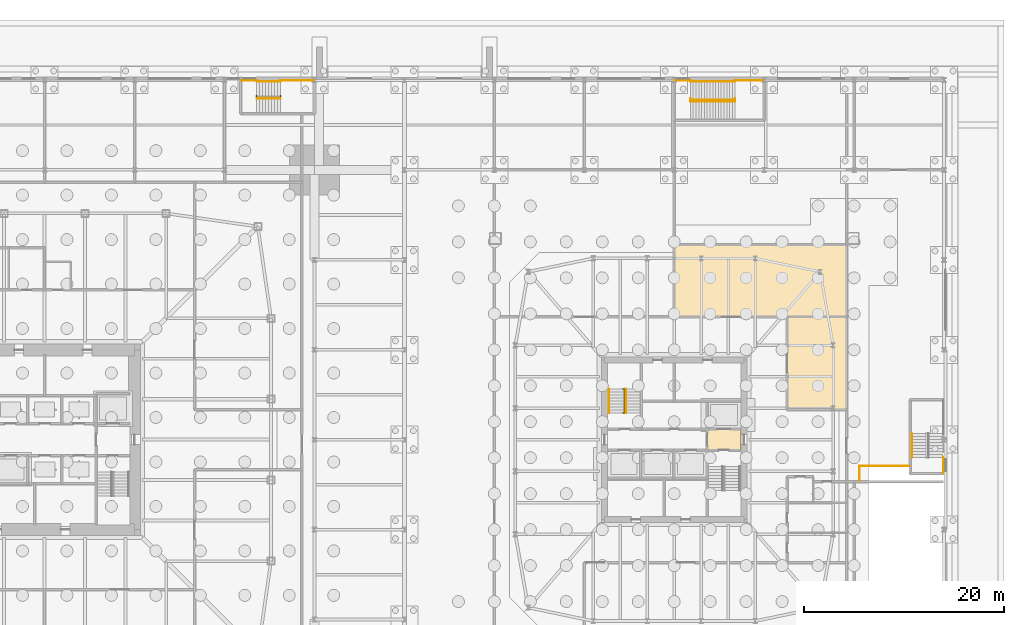
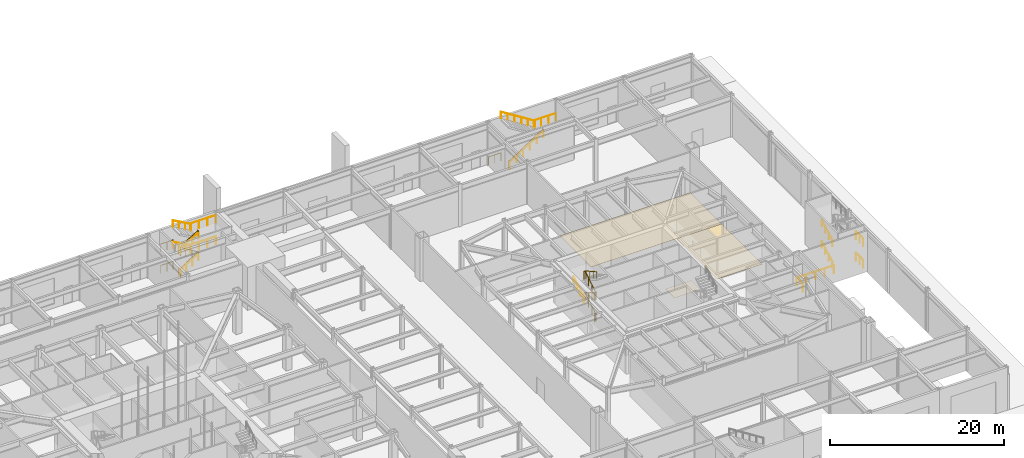
# One storey, part 35 of 37: 23 railings, 3 coverings.
"""IFC4 building model written with IfcOpenShell, lengths in metres."""

import ifcopenshell
import ifcopenshell.guid

model = None  # the IFC model being written
_history = None  # IfcOwnerHistory: only IFC2X3 demands one
_inside = {}  # id of a spatial element -> (the spatial element, [elements in it])
_under = {}  # id of a project, library or spatial element -> (it, [spatial elements below it])
_declared = {}  # id of a project -> (the project, [libraries it declares])
_typed = {}  # id of a type object -> (the type object, [elements of that type])
_made_of = {}  # id of a material, layer set ... -> (it, [elements and type objects made of it])


def new_model(schema):
    """Start an empty IFC model of exactly this schema.

    Asked for "IFC4X3", IfcOpenShell would pick the latest addendum, in which some entities
    have other attributes; the version numbers below select the first issue.
    IFC2X3 requires an IfcOwnerHistory on every rooted entity: one is made here for all.
    """
    global model, _history
    if schema == "IFC4X3":
        model = ifcopenshell.file(schema_version=(4, 3, 0, 0))
    else:
        model = ifcopenshell.file(schema=schema)
    _inside.clear()
    _under.clear()
    _declared.clear()
    _typed.clear()
    _made_of.clear()
    _history = None
    if model.schema == "IFC2X3":
        org = make("IfcOrganization", Name="unknown")
        user = make(
            "IfcPersonAndOrganization",
            ThePerson=make("IfcPerson", FamilyName="unknown"),
            TheOrganization=org,
        )
        app = make(
            "IfcApplication",
            ApplicationDeveloper=org,
            Version="unknown",
            ApplicationFullName="unknown",
            ApplicationIdentifier="unknown",
        )
        _history = make(
            "IfcOwnerHistory",
            OwningUser=user,
            OwningApplication=app,
            ChangeAction="ADDED",
            CreationDate=0,
        )
    return model


def make(cls, **values):
    """One entity of the class cls with the attributes given. An attribute that is None is left unset."""
    return model.create_entity(
        cls, **{name: value for name, value in values.items() if value is not None}
    )


def rooted(cls, **values):
    """An entity with a GlobalId (a new one), such as an element, a storey or a relation."""
    return make(cls, GlobalId=ifcopenshell.guid.new(), OwnerHistory=_history, **values)


def si_unit(unit_type, name, prefix=None):
    """IfcSIUnit, for example si_unit("LENGTHUNIT", "METRE", prefix="MILLI")."""
    return make("IfcSIUnit", UnitType=unit_type, Prefix=prefix, Name=name)


def assignment(units):
    """IfcUnitAssignment: the units of a project."""
    return None if units is None else make("IfcUnitAssignment", Units=units)


def point(xyz):
    """IfcCartesianPoint."""
    return None if xyz is None else make("IfcCartesianPoint", Coordinates=xyz)


def direction(xyz):
    """IfcDirection."""
    return None if xyz is None else make("IfcDirection", DirectionRatios=xyz)


def frame(location, z_axis=None, x_axis=None):
    """IfcAxis2Placement3D, a coordinate frame: its origin and axes. An axis left out is left unset."""
    return make(
        "IfcAxis2Placement3D",
        Location=point(location),
        Axis=direction(z_axis),
        RefDirection=direction(x_axis),
    )


def frame_2d(location, x_axis=None):
    """IfcAxis2Placement2D, a coordinate frame in the plane: its origin and x axis."""
    return make(
        "IfcAxis2Placement2D", Location=point(location), RefDirection=direction(x_axis)
    )


def origin():
    """The frame at (0, 0, 0) with its axes left unset."""
    return frame((0.0, 0.0, 0.0))


def origin_2d():
    """The frame at (0, 0) in the plane with its x axis left unset."""
    return frame_2d((0.0, 0.0))


def place(relative_to, where):
    """IfcLocalPlacement: puts the frame where relative to a parent placement (None: the world)."""
    return make(
        "IfcLocalPlacement", PlacementRelTo=relative_to, RelativePlacement=where
    )


def context(
    kind, dimensions, precision=None, world=None, true_north=None, identifier=None
):
    """IfcGeometricRepresentationContext, for example the 3D "Model" context."""
    return make(
        "IfcGeometricRepresentationContext",
        ContextIdentifier=identifier,
        ContextType=kind,
        CoordinateSpaceDimension=dimensions,
        Precision=precision,
        WorldCoordinateSystem=world,
        TrueNorth=true_north,
    )


def subcontext(parent, identifier, kind, view, scale=None):
    """IfcGeometricRepresentationSubContext, for example "Body" below "Model"."""
    return make(
        "IfcGeometricRepresentationSubContext",
        ContextIdentifier=identifier,
        ContextType=kind,
        ParentContext=parent,
        TargetScale=scale,
        TargetView=view,
    )


def project(units=None, contexts=None):
    """IfcProject with its units and contexts."""
    return rooted(
        "IfcProject",
        Name="project",
        RepresentationContexts=contexts,
        UnitsInContext=assignment(units),
    )


def spatial(cls, under=None, at=None, **own):
    """A site, building, storey or space (cls), placed at a placement, below another one or the project."""
    s = rooted(cls, ObjectPlacement=at, **own)
    if under is not None:
        _under.setdefault(under.id(), (under, []))[1].append(s)
    return s


def polyline(points):
    """IfcPolyline through the points."""
    return make("IfcPolyline", Points=[point(p) for p in points])


def profile(cls, at=None, kind="AREA", **sizes):
    """A parametric profile (cls). Its sizes go by their IFC names, for example OverallWidth=200.0."""
    return make(cls, ProfileType=kind, Position=at, **sizes)


def circle(**sizes):
    """IfcCircleProfileDef."""
    return profile("IfcCircleProfileDef", **sizes)


def outline(outer, holes=None, kind="AREA"):
    """IfcArbitraryClosedProfileDef: a profile drawn as a closed curve; with holes, ...WithVoids."""
    if holes is None:
        return make("IfcArbitraryClosedProfileDef", ProfileType=kind, OuterCurve=outer)
    return make(
        "IfcArbitraryProfileDefWithVoids",
        ProfileType=kind,
        OuterCurve=outer,
        InnerCurves=holes,
    )


def extrude(swept, where, along, depth):
    """IfcExtrudedAreaSolid: the profile swept, set in the frame where, extruded along a direction by depth."""
    return make(
        "IfcExtrudedAreaSolid",
        SweptArea=swept,
        Position=where,
        ExtrudedDirection=direction(along),
        Depth=depth,
    )


def shape(context_of_items, identifier, shape_type, items):
    """IfcShapeRepresentation: the items that make up one representation, for example the "Body"."""
    return make(
        "IfcShapeRepresentation",
        ContextOfItems=context_of_items,
        RepresentationIdentifier=identifier,
        RepresentationType=shape_type,
        Items=items,
    )


def material(Name=None, Category=None):
    """IfcMaterial."""
    return make("IfcMaterial", Name=Name, Category=Category)


def layer(
    of_material, thickness, ventilated=None, Name=None, Category=None, Priority=None
):
    """IfcMaterialLayer: one layer of a wall or slab, of a material (None: an air gap)."""
    return make(
        "IfcMaterialLayer",
        Material=of_material,
        LayerThickness=thickness,
        IsVentilated=ventilated,
        Name=Name,
        Category=Category,
        Priority=Priority,
    )


def layer_set(layers, Name=None):
    """IfcMaterialLayerSet."""
    return make("IfcMaterialLayerSet", MaterialLayers=layers, LayerSetName=Name)


def constituent(of_material, Name=None, Category=None, fraction=None):
    """IfcMaterialConstituent: one of the materials an element consists of."""
    return make(
        "IfcMaterialConstituent",
        Name=Name,
        Material=of_material,
        Fraction=fraction,
        Category=Category,
    )


def constituent_set(constituents=None, Name=None):
    """IfcMaterialConstituentSet."""
    return make(
        "IfcMaterialConstituentSet", Name=Name, MaterialConstituents=constituents
    )


def made_of(thing, what):
    """Note that an element or type object is made of a material, layer set ...; save() writes the relation."""
    if what is not None:
        _made_of.setdefault(what.id(), (what, []))[1].append(thing)
    return thing


def type_object(cls, material=None, **own):
    """A type object (cls), such as IfcWallType, which elements share."""
    return made_of(rooted(cls, **own), material)


def element(
    cls,
    number,
    at=None,
    inside=None,
    cuts=None,
    type_object=None,
    material=None,
    context=None,
    identifier="Body",
    shape_type=None,
    held_by="IfcProductDefinitionShape",
    body=None,
    shapes=None,
    **own,
):
    """One element of the class cls, such as IfcWall. Its Tag is "e" and its number.

    at: its placement. inside: the storey or other place that contains it. cuts: it is an
    opening in that element (IfcRelVoidsElement). A single representation is given by context,
    identifier, shape_type and body (its items); several are given by shapes. held_by: the class
    of the entity that holds the representations. save() writes the other relations.
    """
    e = rooted(cls, Tag="e%d" % number, ObjectPlacement=at, **own)
    if body is not None:
        shapes = [shape(context, identifier, shape_type, body)]
    if shapes is not None:
        e.Representation = make(held_by, Representations=shapes)
    if inside is not None:
        _inside.setdefault(inside.id(), (inside, []))[1].append(e)
    if cuts is not None:
        rooted(
            "IfcRelVoidsElement", RelatingBuildingElement=cuts, RelatedOpeningElement=e
        )
    if type_object is not None:
        _typed.setdefault(type_object.id(), (type_object, []))[1].append(e)
    return made_of(e, material)


def aggregate(whole, parts):
    """IfcRelAggregates: a whole, such as a stair, and the parts it consists of."""
    return rooted("IfcRelAggregates", RelatingObject=whole, RelatedObjects=parts)


def save(model, path):
    """Write the relations noted so far, then the file.

    IfcRelAggregates (storeys below a building ...), IfcRelContainedInSpatialStructure (elements
    in a storey), IfcRelDefinesByType, IfcRelAssociatesMaterial and IfcRelDeclares: one each for
    every whole, place, type object, material and project.
    """
    for whole, parts in _under.values():
        aggregate(whole, parts)
    for where, things in _inside.values():
        rooted(
            "IfcRelContainedInSpatialStructure",
            RelatedElements=things,
            RelatingStructure=where,
        )
    for kind, things in _typed.values():
        rooted("IfcRelDefinesByType", RelatedObjects=things, RelatingType=kind)
    for what, things in _made_of.values():
        rooted("IfcRelAssociatesMaterial", RelatedObjects=things, RelatingMaterial=what)
    for by, libraries in _declared.values():
        rooted("IfcRelDeclares", RelatingContext=by, RelatedDefinitions=libraries)
    model.write(path)


model = new_model("IFC4")

# Units and contexts
model_context = context("Model", 3, precision=1e-05, world=origin(), true_north=direction((0.0, 1.0)))
body_context = subcontext(model_context, "Body", "Model", "MODEL_VIEW")
ifc_project = project(units=[si_unit("LENGTHUNIT", "METRE"), si_unit("AREAUNIT", "SQUARE_METRE"), si_unit("VOLUMEUNIT", "CUBIC_METRE"), si_unit("PLANEANGLEUNIT", "RADIAN"), si_unit("MASSUNIT", "GRAM", prefix="KILO")], contexts=[model_context])

# Site, building, storey
site_placement = place(None, origin())
site = spatial("IfcSite", under=ifc_project, at=site_placement, CompositionType="ELEMENT")
building_placement = place(site_placement, origin())
building = spatial("IfcBuilding", under=site, at=building_placement, Name="Iwan Alto Co-Living Towers", CompositionType="ELEMENT")
storey_placement = place(building_placement, origin())
storey = spatial("IfcBuildingStorey", under=building, at=storey_placement, Name="L00", CompositionType="ELEMENT", Elevation=0.0)

# Covering
ifc_material_1 = material(Name="Mineral fibre acoustic tiles on steel grid", Category="steel")
ifc_layer_1 = layer(ifc_material_1, 0.02001953125)
ifc_layer_set_1 = layer_set([ifc_layer_1], Name="ACOUSTIC TILE CEILING 20")
covering_type_1 = type_object("IfcCoveringType", Name="ACOUSTIC TILE CEILING 20", PredefinedType="CEILING", material=ifc_layer_set_1)
covering_1_placement = place(storey_placement, frame((0.0, 0.0, 2.60009765625)))
element("IfcCovering", 1, at=covering_1_placement, inside=storey, type_object=covering_type_1, Name="Ceiling Firefighting lobby L00", PredefinedType="CEILING", context=body_context, shape_type="SweptSolid", body=[
    extrude(outline(polyline([(66.300048828125, -1.050048828125), (66.300048828125, 1.050048828125), (69.699951171875, 1.050048828125), (69.699951171875, -1.050048828125), (66.300048828125, -1.050048828125)])), origin(), (0.0, 0.0, 1.0), 0.02001953125),
])

# Railings
ifc_material_2 = material(Name="Steel ASTM A500 Gr C", Category="steel")
railing_type_1 = type_object("IfcRailingType", Name="RAMP GUARD 1100", PredefinedType="GUARDRAIL", material=ifc_material_2)
railing_1_placement = place(storey_placement, frame((81.550048828125, -4.10009765625, 0.0)))
element("IfcRailing", 2, at=railing_1_placement, inside=storey, type_object=railing_type_1, Name="Car ramp R1 opening guard", PredefinedType="GUARDRAIL", context=body_context, shape_type="SweptSolid", body=[
    extrude(circle(Radius=0.02392578125, at=origin_2d()), frame((0.0, 0.0, 1.076171875), z_axis=(0.0, 1.0, 0.0), x_axis=(-1.0, 0.0, 0.0)), (0.0, 0.0, 1.0), 1.47021484375),
    extrude(circle(Radius=0.02392578125, at=origin_2d()), frame((0.0, 1.47021484375, 1.076171875), z_axis=(1.0, 0.0, 0.0), x_axis=(0.0, 1.0, 0.0)), (0.0, 0.0, 1.0), 4.949951171875),
    extrude(circle(Radius=0.02099609375, at=origin_2d()), origin(), (0.0, 0.0, 1.0), 1.052001953125),
    extrude(circle(Radius=0.02099609375, at=origin_2d()), frame((0.0, 1.47021484375, 0.0)), (0.0, 0.0, 1.0), 1.052001953125),
    extrude(circle(Radius=0.02099609375, at=origin_2d()), frame((1.237548828125, 1.47021484375, 0.0)), (0.0, 0.0, 1.0), 1.052001953125),
    extrude(circle(Radius=0.02099609375, at=origin_2d()), frame((2.47509765625, 1.47021484375, 0.0)), (0.0, 0.0, 1.0), 1.052001953125),
    extrude(circle(Radius=0.02099609375, at=origin_2d()), frame((3.71240234375, 1.47021484375, 0.0)), (0.0, 0.0, 1.0), 1.052001953125),
    extrude(circle(Radius=0.02099609375, at=origin_2d()), frame((4.949951171875, 1.47021484375, 0.0)), (0.0, 0.0, 1.0), 1.052001953125),
])
ifc_material_3 = material(Name="Steel ASTM A500 Gr C", Category="steel")
ifc_constituent_1 = constituent(ifc_material_3, Name="Rails and posts", Category="Framing")
ifc_material_4 = material(Name="Steel ASTM A36", Category="steel")
ifc_constituent_2 = constituent(ifc_material_4, Name="Bar infill", Category="Infill")
ifc_constituent_set = constituent_set(constituents=[ifc_constituent_1, ifc_constituent_2], Name="STAIR GUARD 1100")
railing_type_2 = type_object("IfcRailingType", Name="STAIR GUARD 1100", PredefinedType="GUARDRAIL", material=ifc_constituent_set)
for number, where, name in (
    (3, (89.93994140625, -3.35009765625, 0.0), "Stair PS2 edge guard L00 1"),
    (4, (89.93994140625, -3.35009765625, 3.0), "Stair PS2 edge guard L00 3"),
):
    element("IfcRailing", number, at=place(storey_placement, frame(where)), inside=storey, type_object=railing_type_2, Name=name, PredefinedType="GUARDRAIL", context=body_context, shape_type="SweptSolid", body=[
        extrude(circle(Radius=0.02392578125, at=origin_2d()), frame((0.0, 0.0, 1.076171875), z_axis=(0.0, 1.0, 0.0), x_axis=(-1.0, 0.0, 0.0)), (0.0, 0.0, 1.0), 1.6201171875),
        extrude(circle(Radius=0.02099609375, at=origin_2d()), origin(), (0.0, 0.0, 1.0), 1.052001953125),
        extrude(circle(Radius=0.02099609375, at=origin_2d()), frame((0.0, 0.81005859375, 0.0)), (0.0, 0.0, 1.0), 1.052001953125),
        extrude(circle(Radius=0.02099609375, at=origin_2d()), frame((0.0, 1.6201171875, 0.0)), (0.0, 0.0, 1.0), 1.052001953125),
    ])
railing_2_placement = place(storey_placement, frame((21.219970703125, 34.300048828125, 0.0)))
element("IfcRailing", 5, at=railing_2_placement, inside=storey, type_object=railing_type_2, Name="Stair PS3 well guard L00", PredefinedType="GUARDRAIL", context=body_context, shape_type="SweptSolid", body=[
    extrude(circle(Radius=0.02392578125, at=origin_2d()), frame((0.0, 0.0, 1.076171875), z_axis=(0.84801284173, 0.0, 0.529975678933), x_axis=(0.0, 1.0, 0.0)), (0.0, 0.0, 1.0), 2.830322265625),
    extrude(circle(Radius=0.02392578125, at=origin_2d()), frame((2.400146484375, 0.0, 2.576171875), z_axis=(-0.84801284173, 0.0, 0.529975678933), x_axis=(0.0, -1.0, 0.0)), (0.0, 0.0, 1.0), 2.830322265625),
    extrude(circle(Radius=0.02392578125, at=origin_2d()), frame((0.0, 0.0, 4.076171875), z_axis=(0.84801284173, 0.0, 0.529975678933), x_axis=(0.0, 1.0, 0.0)), (0.0, 0.0, 1.0), 2.830322265625),
    extrude(circle(Radius=0.02392578125, at=origin_2d()), frame((0.0, -0.150146484375, 1.076171875), z_axis=(0.0, 1.0, 0.0), x_axis=(-1.0, 0.0, 0.0)), (0.0, 0.0, 1.0), 0.300048828125),
    extrude(circle(Radius=0.02392578125, at=origin_2d()), frame((2.400146484375, -0.150146484375, 2.576171875), z_axis=(0.0, 1.0, 0.0), x_axis=(-1.0, 0.0, 0.0)), (0.0, 0.0, 1.0), 0.300048828125),
    extrude(circle(Radius=0.02392578125, at=origin_2d()), frame((0.0, -0.150146484375, 4.076171875), z_axis=(0.0, 1.0, 0.0), x_axis=(-1.0, 0.0, 0.0)), (0.0, 0.0, 1.0), 0.300048828125),
    extrude(circle(Radius=0.02392578125, at=origin_2d()), frame((2.400146484375, -0.150146484375, 5.576171875), z_axis=(0.0, 1.0, 0.0), x_axis=(-1.0, 0.0, 0.0)), (0.0, 0.0, 1.0), 0.300048828125),
    extrude(circle(Radius=0.02099609375, at=origin_2d()), origin(), (0.0, 0.0, 1.0), 1.052001953125),
    extrude(circle(Radius=0.02099609375, at=origin_2d()), frame((0.800048828125, 0.0, 0.5)), (0.0, 0.0, 1.0), 1.052001953125),
    extrude(circle(Radius=0.02099609375, at=origin_2d()), frame((1.60009765625, 0.0, 1.0)), (0.0, 0.0, 1.0), 1.052001953125),
    extrude(circle(Radius=0.02099609375, at=origin_2d()), frame((2.400146484375, 0.0, 1.5)), (0.0, 0.0, 1.0), 1.052001953125),
    extrude(circle(Radius=0.02099609375, at=origin_2d()), frame((1.60009765625, 0.0, 2.0)), (0.0, 0.0, 1.0), 1.052001953125),
    extrude(circle(Radius=0.02099609375, at=origin_2d()), frame((0.800048828125, 0.0, 2.5)), (0.0, 0.0, 1.0), 1.052001953125),
    extrude(circle(Radius=0.02099609375, at=origin_2d()), frame((0.0, 0.0, 3.0)), (0.0, 0.0, 1.0), 1.052001953125),
    extrude(circle(Radius=0.02099609375, at=origin_2d()), frame((0.800048828125, 0.0, 3.5)), (0.0, 0.0, 1.0), 1.052001953125),
    extrude(circle(Radius=0.02099609375, at=origin_2d()), frame((1.60009765625, 0.0, 4.0)), (0.0, 0.0, 1.0), 1.052001953125),
    extrude(circle(Radius=0.02099609375, at=origin_2d()), frame((2.400146484375, 0.0, 4.5)), (0.0, 0.0, 1.0), 1.052001953125),
    extrude(circle(Radius=0.02099609375, at=origin_2d()), frame((0.0, -0.150146484375, 0.0)), (0.0, 0.0, 1.0), 1.052001953125),
    extrude(circle(Radius=0.02099609375, at=origin_2d()), frame((0.0, 0.14990234375, 0.0)), (0.0, 0.0, 1.0), 1.052001953125),
    extrude(circle(Radius=0.02099609375, at=origin_2d()), frame((2.400146484375, -0.150146484375, 1.5)), (0.0, 0.0, 1.0), 1.052001953125),
    extrude(circle(Radius=0.02099609375, at=origin_2d()), frame((2.400146484375, 0.14990234375, 1.5)), (0.0, 0.0, 1.0), 1.052001953125),
    extrude(circle(Radius=0.02099609375, at=origin_2d()), frame((0.0, -0.150146484375, 3.0)), (0.0, 0.0, 1.0), 1.052001953125),
    extrude(circle(Radius=0.02099609375, at=origin_2d()), frame((0.0, 0.14990234375, 3.0)), (0.0, 0.0, 1.0), 1.052001953125),
    extrude(circle(Radius=0.02099609375, at=origin_2d()), frame((2.400146484375, -0.150146484375, 4.5)), (0.0, 0.0, 1.0), 1.052001953125),
    extrude(circle(Radius=0.02099609375, at=origin_2d()), frame((2.400146484375, 0.14990234375, 4.5)), (0.0, 0.0, 1.0), 1.052001953125),
])
railing_3_placement = place(storey_placement, frame((19.64990234375, 35.93994140625, 0.0)))
element("IfcRailing", 6, at=railing_3_placement, inside=storey, type_object=railing_type_2, Name="Stair PS3 edge guard L00 1", PredefinedType="GUARDRAIL", context=body_context, shape_type="SweptSolid", body=[
    extrude(circle(Radius=0.02392578125, at=origin_2d()), frame((0.0, 0.0, 1.076171875), z_axis=(1.0, 0.0, 0.0), x_axis=(0.0, 1.0, 0.0)), (0.0, 0.0, 1.0), 1.6201171875),
    extrude(circle(Radius=0.02099609375, at=origin_2d()), origin(), (0.0, 0.0, 1.0), 1.052001953125),
    extrude(circle(Radius=0.02099609375, at=origin_2d()), frame((0.81005859375, 0.0, 0.0)), (0.0, 0.0, 1.0), 1.052001953125),
    extrude(circle(Radius=0.02099609375, at=origin_2d()), frame((1.6201171875, 0.0, 0.0)), (0.0, 0.0, 1.0), 1.052001953125),
])
railing_4_placement = place(storey_placement, frame((23.570068359375, 35.93994140625, 1.5)))
element("IfcRailing", 7, at=railing_4_placement, inside=storey, type_object=railing_type_2, Name="Stair PS3 edge guard L00 2", PredefinedType="GUARDRAIL", context=body_context, shape_type="SweptSolid", body=[
    extrude(circle(Radius=0.02392578125, at=origin_2d()), frame((0.0, 0.0, 1.076171875), z_axis=(1.0, 0.0, 0.0), x_axis=(0.0, 1.0, 0.0)), (0.0, 0.0, 1.0), 3.3798828125),
    extrude(circle(Radius=0.02099609375, at=origin_2d()), origin(), (0.0, 0.0, 1.0), 1.052001953125),
    extrude(circle(Radius=0.02099609375, at=origin_2d()), frame((1.126708984375, 0.0, 0.0)), (0.0, 0.0, 1.0), 1.052001953125),
    extrude(circle(Radius=0.02099609375, at=origin_2d()), frame((2.253173828125, 0.0, 0.0)), (0.0, 0.0, 1.0), 1.052001953125),
    extrude(circle(Radius=0.02099609375, at=origin_2d()), frame((3.3798828125, 0.0, 0.0)), (0.0, 0.0, 1.0), 1.052001953125),
])
railing_5_placement = place(storey_placement, frame((19.64990234375, 35.93994140625, 3.0)))
element("IfcRailing", 8, at=railing_5_placement, inside=storey, type_object=railing_type_2, Name="Stair PS3 edge guard L00 3", PredefinedType="GUARDRAIL", context=body_context, shape_type="SweptSolid", body=[
    extrude(circle(Radius=0.02392578125, at=origin_2d()), frame((0.0, 0.0, 1.076171875), z_axis=(1.0, 0.0, 0.0), x_axis=(0.0, 1.0, 0.0)), (0.0, 0.0, 1.0), 1.6201171875),
    extrude(circle(Radius=0.02099609375, at=origin_2d()), origin(), (0.0, 0.0, 1.0), 1.052001953125),
    extrude(circle(Radius=0.02099609375, at=origin_2d()), frame((0.81005859375, 0.0, 0.0)), (0.0, 0.0, 1.0), 1.052001953125),
    extrude(circle(Radius=0.02099609375, at=origin_2d()), frame((1.6201171875, 0.0, 0.0)), (0.0, 0.0, 1.0), 1.052001953125),
])
railing_6_placement = place(storey_placement, frame((23.570068359375, 35.93994140625, 4.5)))
element("IfcRailing", 9, at=railing_6_placement, inside=storey, type_object=railing_type_2, Name="Stair PS3 edge guard L00 4", PredefinedType="GUARDRAIL", context=body_context, shape_type="SweptSolid", body=[
    extrude(circle(Radius=0.02392578125, at=origin_2d()), frame((0.0, 0.0, 1.076171875), z_axis=(1.0, 0.0, 0.0), x_axis=(0.0, 1.0, 0.0)), (0.0, 0.0, 1.0), 3.3798828125),
    extrude(circle(Radius=0.02099609375, at=origin_2d()), origin(), (0.0, 0.0, 1.0), 1.052001953125),
    extrude(circle(Radius=0.02099609375, at=origin_2d()), frame((1.126708984375, 0.0, 0.0)), (0.0, 0.0, 1.0), 1.052001953125),
    extrude(circle(Radius=0.02099609375, at=origin_2d()), frame((2.253173828125, 0.0, 0.0)), (0.0, 0.0, 1.0), 1.052001953125),
    extrude(circle(Radius=0.02099609375, at=origin_2d()), frame((3.3798828125, 0.0, 0.0)), (0.0, 0.0, 1.0), 1.052001953125),
])
railing_7_placement = place(storey_placement, frame((64.6201171875, 33.97998046875, 0.0)))
element("IfcRailing", 10, at=railing_7_placement, inside=storey, type_object=railing_type_2, Name="Stair PS5 well guard L00", PredefinedType="GUARDRAIL", context=body_context, shape_type="SweptSolid", body=[
    extrude(circle(Radius=0.02392578125, at=origin_2d()), frame((0.0, 0.0, 1.076171875), z_axis=(0.830906055479, 0.0, 0.556412730775), x_axis=(0.0, 1.0, 0.0)), (0.0, 0.0, 1.0), 5.3916015625),
    extrude(circle(Radius=0.02392578125, at=origin_2d()), frame((0.0, -0.14990234375, 1.076171875), z_axis=(0.0, 1.0, 0.0), x_axis=(-1.0, 0.0, 0.0)), (0.0, 0.0, 1.0), 0.2998046875),
    extrude(circle(Radius=0.02392578125, at=origin_2d()), frame((4.47998046875, -0.14990234375, 4.076171875), z_axis=(0.0, 1.0, 0.0), x_axis=(-1.0, 0.0, 0.0)), (0.0, 0.0, 1.0), 0.2998046875),
    extrude(circle(Radius=0.02099609375, at=origin_2d()), origin(), (0.0, 0.0, 1.0), 1.052001953125),
    extrude(circle(Radius=0.02099609375, at=origin_2d()), frame((0.89599609375, 0.0, 0.60009765625)), (0.0, 0.0, 1.0), 1.052001953125),
    extrude(circle(Radius=0.02099609375, at=origin_2d()), frame((1.7919921875, 0.0, 1.199951171875)), (0.0, 0.0, 1.0), 1.052001953125),
    extrude(circle(Radius=0.02099609375, at=origin_2d()), frame((2.68798828125, 0.0, 1.800048828125)), (0.0, 0.0, 1.0), 1.052001953125),
    extrude(circle(Radius=0.02099609375, at=origin_2d()), frame((3.583984375, 0.0, 2.39990234375)), (0.0, 0.0, 1.0), 1.052001953125),
    extrude(circle(Radius=0.02099609375, at=origin_2d()), frame((4.47998046875, 0.0, 3.0)), (0.0, 0.0, 1.0), 1.052001953125),
    extrude(circle(Radius=0.02099609375, at=origin_2d()), frame((0.0, -0.14990234375, 0.0)), (0.0, 0.0, 1.0), 1.052001953125),
    extrude(circle(Radius=0.02099609375, at=origin_2d()), frame((0.0, 0.14990234375, 0.0)), (0.0, 0.0, 1.0), 1.052001953125),
    extrude(circle(Radius=0.02099609375, at=origin_2d()), frame((4.47998046875, -0.14990234375, 3.0)), (0.0, 0.0, 1.0), 1.052001953125),
    extrude(circle(Radius=0.02099609375, at=origin_2d()), frame((4.47998046875, 0.14990234375, 3.0)), (0.0, 0.0, 1.0), 1.052001953125),
])
railing_8_placement = place(storey_placement, frame((63.050048828125, 35.93994140625, 0.0)))
element("IfcRailing", 11, at=railing_8_placement, inside=storey, type_object=railing_type_2, Name="Stair PS5 edge guard L00 1", PredefinedType="GUARDRAIL", context=body_context, shape_type="SweptSolid", body=[
    extrude(circle(Radius=0.02392578125, at=origin_2d()), frame((0.0, 0.0, 1.076171875), z_axis=(1.0, 0.0, 0.0), x_axis=(0.0, 1.0, 0.0)), (0.0, 0.0, 1.0), 1.619873046875),
    extrude(circle(Radius=0.02099609375, at=origin_2d()), origin(), (0.0, 0.0, 1.0), 1.052001953125),
    extrude(circle(Radius=0.02099609375, at=origin_2d()), frame((0.81005859375, 0.0, 0.0)), (0.0, 0.0, 1.0), 1.052001953125),
    extrude(circle(Radius=0.02099609375, at=origin_2d()), frame((1.619873046875, 0.0, 0.0)), (0.0, 0.0, 1.0), 1.052001953125),
])
railing_9_placement = place(storey_placement, frame((69.050048828125, 35.93994140625, 3.0)))
element("IfcRailing", 12, at=railing_9_placement, inside=storey, type_object=railing_type_2, Name="Stair PS5 edge guard L00 2", PredefinedType="GUARDRAIL", context=body_context, shape_type="SweptSolid", body=[
    extrude(circle(Radius=0.02392578125, at=origin_2d()), frame((0.0, 0.0, 1.076171875), z_axis=(1.0, 0.0, 0.0), x_axis=(0.0, 1.0, 0.0)), (0.0, 0.0, 1.0), 2.89990234375),
    extrude(circle(Radius=0.02099609375, at=origin_2d()), origin(), (0.0, 0.0, 1.0), 1.052001953125),
    extrude(circle(Radius=0.02099609375, at=origin_2d()), frame((0.966552734375, 0.0, 0.0)), (0.0, 0.0, 1.0), 1.052001953125),
    extrude(circle(Radius=0.02099609375, at=origin_2d()), frame((1.933349609375, 0.0, 0.0)), (0.0, 0.0, 1.0), 1.052001953125),
    extrude(circle(Radius=0.02099609375, at=origin_2d()), frame((2.89990234375, 0.0, 0.0)), (0.0, 0.0, 1.0), 1.052001953125),
])
railing_10_placement = place(storey_placement, frame((58.0, 2.669921875, 0.0)))
element("IfcRailing", 13, at=railing_10_placement, inside=storey, type_object=railing_type_2, Name="Stair T2-S1 well guard L00", PredefinedType="GUARDRAIL", context=body_context, shape_type="SweptSolid", body=[
    extrude(circle(Radius=0.02392578125, at=origin_2d()), frame((0.0, 0.0, 1.076171875), z_axis=(0.0, 0.84801284173, 0.529975678933), x_axis=(-1.0, 0.0, 0.0)), (0.0, 0.0, 1.0), 2.830322265625),
    extrude(circle(Radius=0.02392578125, at=origin_2d()), frame((0.0, 2.400146484375, 2.576171875), z_axis=(0.0, -0.84801284173, 0.529975678933), x_axis=(1.0, 0.0, 0.0)), (0.0, 0.0, 1.0), 2.830322265625),
    extrude(circle(Radius=0.02392578125, at=origin_2d()), frame((0.0, 0.0, 4.076171875), z_axis=(0.0, 0.84801284173, 0.529975678933), x_axis=(-1.0, 0.0, 0.0)), (0.0, 0.0, 1.0), 2.830322265625),
    extrude(circle(Radius=0.02392578125, at=origin_2d()), frame((-0.14990234375, 0.0, 1.076171875), z_axis=(1.0, 0.0, 0.0), x_axis=(0.0, 1.0, 0.0)), (0.0, 0.0, 1.0), 0.2998046875),
    extrude(circle(Radius=0.02392578125, at=origin_2d()), frame((-0.14990234375, 2.400146484375, 2.576171875), z_axis=(1.0, 0.0, 0.0), x_axis=(0.0, 1.0, 0.0)), (0.0, 0.0, 1.0), 0.2998046875),
    extrude(circle(Radius=0.02392578125, at=origin_2d()), frame((-0.14990234375, 0.0, 4.076171875), z_axis=(1.0, 0.0, 0.0), x_axis=(0.0, 1.0, 0.0)), (0.0, 0.0, 1.0), 0.2998046875),
    extrude(circle(Radius=0.02392578125, at=origin_2d()), frame((-0.14990234375, 2.400146484375, 5.576171875), z_axis=(1.0, 0.0, 0.0), x_axis=(0.0, 1.0, 0.0)), (0.0, 0.0, 1.0), 0.2998046875),
    extrude(circle(Radius=0.02099609375, at=origin_2d()), origin(), (0.0, 0.0, 1.0), 1.052001953125),
    extrude(circle(Radius=0.02099609375, at=origin_2d()), frame((0.0, 0.800048828125, 0.5)), (0.0, 0.0, 1.0), 1.052001953125),
    extrude(circle(Radius=0.02099609375, at=origin_2d()), frame((0.0, 1.60009765625, 1.0)), (0.0, 0.0, 1.0), 1.052001953125),
    extrude(circle(Radius=0.02099609375, at=origin_2d()), frame((0.0, 2.400146484375, 1.5)), (0.0, 0.0, 1.0), 1.052001953125),
    extrude(circle(Radius=0.02099609375, at=origin_2d()), frame((0.0, 1.60009765625, 2.0)), (0.0, 0.0, 1.0), 1.052001953125),
    extrude(circle(Radius=0.02099609375, at=origin_2d()), frame((0.0, 0.800048828125, 2.5)), (0.0, 0.0, 1.0), 1.052001953125),
    extrude(circle(Radius=0.02099609375, at=origin_2d()), frame((0.0, 0.0, 3.0)), (0.0, 0.0, 1.0), 1.052001953125),
    extrude(circle(Radius=0.02099609375, at=origin_2d()), frame((0.0, 0.800048828125, 3.5)), (0.0, 0.0, 1.0), 1.052001953125),
    extrude(circle(Radius=0.02099609375, at=origin_2d()), frame((0.0, 1.60009765625, 4.0)), (0.0, 0.0, 1.0), 1.052001953125),
    extrude(circle(Radius=0.02099609375, at=origin_2d()), frame((0.0, 2.400146484375, 4.5)), (0.0, 0.0, 1.0), 1.052001953125),
    extrude(circle(Radius=0.02099609375, at=origin_2d()), frame((-0.14990234375, 0.0, 0.0)), (0.0, 0.0, 1.0), 1.052001953125),
    extrude(circle(Radius=0.02099609375, at=origin_2d()), frame((0.14990234375, 0.0, 0.0)), (0.0, 0.0, 1.0), 1.052001953125),
    extrude(circle(Radius=0.02099609375, at=origin_2d()), frame((-0.14990234375, 2.400146484375, 1.5)), (0.0, 0.0, 1.0), 1.052001953125),
    extrude(circle(Radius=0.02099609375, at=origin_2d()), frame((0.14990234375, 2.400146484375, 1.5)), (0.0, 0.0, 1.0), 1.052001953125),
    extrude(circle(Radius=0.02099609375, at=origin_2d()), frame((-0.14990234375, 0.0, 3.0)), (0.0, 0.0, 1.0), 1.052001953125),
    extrude(circle(Radius=0.02099609375, at=origin_2d()), frame((0.14990234375, 0.0, 3.0)), (0.0, 0.0, 1.0), 1.052001953125),
    extrude(circle(Radius=0.02099609375, at=origin_2d()), frame((-0.14990234375, 2.400146484375, 4.5)), (0.0, 0.0, 1.0), 1.052001953125),
    extrude(circle(Radius=0.02099609375, at=origin_2d()), frame((0.14990234375, 2.400146484375, 4.5)), (0.0, 0.0, 1.0), 1.052001953125),
])
ifc_material_5 = material(Name="Steel ASTM A500 Gr C", Category="steel")
railing_type_3 = type_object("IfcRailingType", Name="STAIR HANDRAIL 900", PredefinedType="HANDRAIL", material=ifc_material_5)
for number, where, name in (
    (14, (86.77001953125, -1.780029296875, 0.166748046875), "Stair PS2 handrail 1 L00"),
    (15, (86.77001953125, -1.780029296875, 3.166748046875), "Stair PS2 handrail 3 L00"),
):
    element("IfcRailing", number, at=place(storey_placement, frame(where)), inside=storey, type_object=railing_type_3, Name=name, PredefinedType="HANDRAIL", context=body_context, shape_type="SweptSolid", body=[
        extrude(circle(Radius=0.02392578125, at=origin_2d()), frame((0.0, 0.0, 0.8759765625), z_axis=(0.0, 0.874182441271, 0.485597631145), x_axis=(-1.0, 0.0, 0.0)), (0.0, 0.0, 1.0), 2.74560546875),
        extrude(circle(Radius=0.02099609375, at=origin_2d()), origin(), (0.0, 0.0, 1.0), 0.851806640625),
        extrude(circle(Radius=0.02099609375, at=origin_2d()), frame((0.0, 0.800048828125, 0.4443359375)), (0.0, 0.0, 1.0), 0.851806640625),
        extrude(circle(Radius=0.02099609375, at=origin_2d()), frame((0.0, 1.60009765625, 0.888916015625)), (0.0, 0.0, 1.0), 0.851806640625),
        extrude(circle(Radius=0.02099609375, at=origin_2d()), frame((0.0, 2.400146484375, 1.333251953125)), (0.0, 0.0, 1.0), 0.851806640625),
    ])
railing_11_placement = place(storey_placement, frame((21.219970703125, 34.14990234375, 0.166748046875)))
element("IfcRailing", 16, at=railing_11_placement, inside=storey, type_object=railing_type_3, Name="Stair PS3 handrail 1 L00", PredefinedType="HANDRAIL", context=body_context, shape_type="SweptSolid", body=[
    extrude(circle(Radius=0.02392578125, at=origin_2d()), frame((0.0, 0.0, 0.8759765625), z_axis=(0.874182441271, 0.0, 0.485597631145), x_axis=(0.0, 1.0, 0.0)), (0.0, 0.0, 1.0), 2.74560546875),
    extrude(circle(Radius=0.02099609375, at=origin_2d()), origin(), (0.0, 0.0, 1.0), 0.851806640625),
    extrude(circle(Radius=0.02099609375, at=origin_2d()), frame((0.800048828125, 0.0, 0.4443359375)), (0.0, 0.0, 1.0), 0.851806640625),
    extrude(circle(Radius=0.02099609375, at=origin_2d()), frame((1.60009765625, 0.0, 0.888916015625)), (0.0, 0.0, 1.0), 0.851806640625),
    extrude(circle(Radius=0.02099609375, at=origin_2d()), frame((2.400146484375, 0.0, 1.333251953125)), (0.0, 0.0, 1.0), 0.851806640625),
])
railing_12_placement = place(storey_placement, frame((23.6201171875, 35.830078125, 1.666748046875)))
element("IfcRailing", 17, at=railing_12_placement, inside=storey, type_object=railing_type_3, Name="Stair PS3 handrail 2 L00", PredefinedType="HANDRAIL", context=body_context, shape_type="SweptSolid", body=[
    extrude(circle(Radius=0.02392578125, at=origin_2d()), frame((0.0, 0.0, 0.8759765625), z_axis=(-0.874182441271, 0.0, 0.485597631145), x_axis=(0.0, -1.0, 0.0)), (0.0, 0.0, 1.0), 2.74560546875),
    extrude(circle(Radius=0.02099609375, at=origin_2d()), origin(), (0.0, 0.0, 1.0), 0.851806640625),
    extrude(circle(Radius=0.02099609375, at=origin_2d()), frame((-0.800048828125, 0.0, 0.4443359375)), (0.0, 0.0, 1.0), 0.851806640625),
    extrude(circle(Radius=0.02099609375, at=origin_2d()), frame((-1.60009765625, 0.0, 0.888916015625)), (0.0, 0.0, 1.0), 0.851806640625),
    extrude(circle(Radius=0.02099609375, at=origin_2d()), frame((-2.400146484375, 0.0, 1.333251953125)), (0.0, 0.0, 1.0), 0.851806640625),
])
railing_13_placement = place(storey_placement, frame((21.219970703125, 34.14990234375, 3.166748046875)))
element("IfcRailing", 18, at=railing_13_placement, inside=storey, type_object=railing_type_3, Name="Stair PS3 handrail 3 L00", PredefinedType="HANDRAIL", context=body_context, shape_type="SweptSolid", body=[
    extrude(circle(Radius=0.02392578125, at=origin_2d()), frame((0.0, 0.0, 0.8759765625), z_axis=(0.874182441271, 0.0, 0.485597631145), x_axis=(0.0, 1.0, 0.0)), (0.0, 0.0, 1.0), 2.74560546875),
    extrude(circle(Radius=0.02099609375, at=origin_2d()), origin(), (0.0, 0.0, 1.0), 0.851806640625),
    extrude(circle(Radius=0.02099609375, at=origin_2d()), frame((0.800048828125, 0.0, 0.4443359375)), (0.0, 0.0, 1.0), 0.851806640625),
    extrude(circle(Radius=0.02099609375, at=origin_2d()), frame((1.60009765625, 0.0, 0.888916015625)), (0.0, 0.0, 1.0), 0.851806640625),
    extrude(circle(Radius=0.02099609375, at=origin_2d()), frame((2.400146484375, 0.0, 1.333251953125)), (0.0, 0.0, 1.0), 0.851806640625),
])
railing_14_placement = place(storey_placement, frame((23.6201171875, 35.830078125, 4.666748046875)))
element("IfcRailing", 19, at=railing_14_placement, inside=storey, type_object=railing_type_3, Name="Stair PS3 handrail 4 L00", PredefinedType="HANDRAIL", context=body_context, shape_type="SweptSolid", body=[
    extrude(circle(Radius=0.02392578125, at=origin_2d()), frame((0.0, 0.0, 0.8759765625), z_axis=(-0.874182441271, 0.0, 0.485597631145), x_axis=(0.0, -1.0, 0.0)), (0.0, 0.0, 1.0), 2.74560546875),
    extrude(circle(Radius=0.02099609375, at=origin_2d()), origin(), (0.0, 0.0, 1.0), 0.851806640625),
    extrude(circle(Radius=0.02099609375, at=origin_2d()), frame((-0.800048828125, 0.0, 0.4443359375)), (0.0, 0.0, 1.0), 0.851806640625),
    extrude(circle(Radius=0.02099609375, at=origin_2d()), frame((-1.60009765625, 0.0, 0.888916015625)), (0.0, 0.0, 1.0), 0.851806640625),
    extrude(circle(Radius=0.02099609375, at=origin_2d()), frame((-2.400146484375, 0.0, 1.333251953125)), (0.0, 0.0, 1.0), 0.851806640625),
])
railing_15_placement = place(storey_placement, frame((64.6201171875, 33.830078125, 0.176513671875)))
element("IfcRailing", 20, at=railing_15_placement, inside=storey, type_object=railing_type_3, Name="Stair PS5 handrail 1 L00", PredefinedType="HANDRAIL", context=body_context, shape_type="SweptSolid", body=[
    extrude(circle(Radius=0.02392578125, at=origin_2d()), frame((0.0, 0.0, 0.8759765625), z_axis=(0.845997938375, 0.0, 0.533186166611), x_axis=(0.0, 1.0, 0.0)), (0.0, 0.0, 1.0), 5.29541015625),
    extrude(circle(Radius=0.02099609375, at=origin_2d()), origin(), (0.0, 0.0, 1.0), 0.851806640625),
    extrude(circle(Radius=0.02099609375, at=origin_2d()), frame((0.89599609375, 0.0, 0.564697265625)), (0.0, 0.0, 1.0), 0.851806640625),
    extrude(circle(Radius=0.02099609375, at=origin_2d()), frame((1.7919921875, 0.0, 1.12939453125)), (0.0, 0.0, 1.0), 0.851806640625),
    extrude(circle(Radius=0.02099609375, at=origin_2d()), frame((2.68798828125, 0.0, 1.694091796875)), (0.0, 0.0, 1.0), 0.851806640625),
    extrude(circle(Radius=0.02099609375, at=origin_2d()), frame((3.583984375, 0.0, 2.2587890625)), (0.0, 0.0, 1.0), 0.851806640625),
    extrude(circle(Radius=0.02099609375, at=origin_2d()), frame((4.47998046875, 0.0, 2.823486328125)), (0.0, 0.0, 1.0), 0.851806640625),
])
railing_16_placement = place(storey_placement, frame((69.10009765625, 35.830078125, 3.176513671875)))
element("IfcRailing", 21, at=railing_16_placement, inside=storey, type_object=railing_type_3, Name="Stair PS5 handrail 2 L00", PredefinedType="HANDRAIL", context=body_context, shape_type="SweptSolid", body=[
    extrude(circle(Radius=0.02392578125, at=origin_2d()), frame((0.0, 0.0, 0.8759765625), z_axis=(-0.845997938375, 0.0, 0.533186166611), x_axis=(0.0, -1.0, 0.0)), (0.0, 0.0, 1.0), 5.29541015625),
    extrude(circle(Radius=0.02099609375, at=origin_2d()), origin(), (0.0, 0.0, 1.0), 0.851806640625),
    extrude(circle(Radius=0.02099609375, at=origin_2d()), frame((-0.89599609375, 0.0, 0.564697265625)), (0.0, 0.0, 1.0), 0.851806640625),
    extrude(circle(Radius=0.02099609375, at=origin_2d()), frame((-1.7919921875, 0.0, 1.12939453125)), (0.0, 0.0, 1.0), 0.851806640625),
    extrude(circle(Radius=0.02099609375, at=origin_2d()), frame((-2.68798828125, 0.0, 1.694091796875)), (0.0, 0.0, 1.0), 0.851806640625),
    extrude(circle(Radius=0.02099609375, at=origin_2d()), frame((-3.583984375, 0.0, 2.2587890625)), (0.0, 0.0, 1.0), 0.851806640625),
    extrude(circle(Radius=0.02099609375, at=origin_2d()), frame((-4.47998046875, 0.0, 2.823486328125)), (0.0, 0.0, 1.0), 0.851806640625),
])
railing_17_placement = place(storey_placement, frame((58.14990234375, 5.070068359375, 1.666748046875)))
element("IfcRailing", 22, at=railing_17_placement, inside=storey, type_object=railing_type_3, Name="Stair T2-S1 handrail 2 L00", PredefinedType="HANDRAIL", context=body_context, shape_type="SweptSolid", body=[
    extrude(circle(Radius=0.02392578125, at=origin_2d()), frame((0.0, 0.0, 0.8759765625), z_axis=(0.0, -0.874182441271, 0.485597631145), x_axis=(1.0, 0.0, 0.0)), (0.0, 0.0, 1.0), 2.74560546875),
    extrude(circle(Radius=0.02099609375, at=origin_2d()), origin(), (0.0, 0.0, 1.0), 0.851806640625),
    extrude(circle(Radius=0.02099609375, at=origin_2d()), frame((0.0, -0.800048828125, 0.4443359375)), (0.0, 0.0, 1.0), 0.851806640625),
    extrude(circle(Radius=0.02099609375, at=origin_2d()), frame((0.0, -1.60009765625, 0.888916015625)), (0.0, 0.0, 1.0), 0.851806640625),
    extrude(circle(Radius=0.02099609375, at=origin_2d()), frame((0.0, -2.400146484375, 1.333251953125)), (0.0, 0.0, 1.0), 0.851806640625),
])
railing_18_placement = place(storey_placement, frame((56.469970703125, 2.669921875, 3.166748046875)))
element("IfcRailing", 23, at=railing_18_placement, inside=storey, type_object=railing_type_3, Name="Stair T2-S1 handrail 3 L00", PredefinedType="HANDRAIL", context=body_context, shape_type="SweptSolid", body=[
    extrude(circle(Radius=0.02392578125, at=origin_2d()), frame((0.0, 0.0, 0.8759765625), z_axis=(0.0, 0.874182441271, 0.485597631145), x_axis=(-1.0, 0.0, 0.0)), (0.0, 0.0, 1.0), 2.74560546875),
    extrude(circle(Radius=0.02099609375, at=origin_2d()), origin(), (0.0, 0.0, 1.0), 0.851806640625),
    extrude(circle(Radius=0.02099609375, at=origin_2d()), frame((0.0, 0.800048828125, 0.4443359375)), (0.0, 0.0, 1.0), 0.851806640625),
    extrude(circle(Radius=0.02099609375, at=origin_2d()), frame((0.0, 1.60009765625, 0.888916015625)), (0.0, 0.0, 1.0), 0.851806640625),
    extrude(circle(Radius=0.02099609375, at=origin_2d()), frame((0.0, 2.400146484375, 1.333251953125)), (0.0, 0.0, 1.0), 0.851806640625),
])
railing_19_placement = place(storey_placement, frame((58.14990234375, 5.070068359375, 4.666748046875)))
element("IfcRailing", 24, at=railing_19_placement, inside=storey, type_object=railing_type_3, Name="Stair T2-S1 handrail 4 L00", PredefinedType="HANDRAIL", context=body_context, shape_type="SweptSolid", body=[
    extrude(circle(Radius=0.02392578125, at=origin_2d()), frame((0.0, 0.0, 0.8759765625), z_axis=(0.0, -0.874182441271, 0.485597631145), x_axis=(1.0, 0.0, 0.0)), (0.0, 0.0, 1.0), 2.74560546875),
    extrude(circle(Radius=0.02099609375, at=origin_2d()), origin(), (0.0, 0.0, 1.0), 0.851806640625),
    extrude(circle(Radius=0.02099609375, at=origin_2d()), frame((0.0, -0.800048828125, 0.4443359375)), (0.0, 0.0, 1.0), 0.851806640625),
    extrude(circle(Radius=0.02099609375, at=origin_2d()), frame((0.0, -1.60009765625, 0.888916015625)), (0.0, 0.0, 1.0), 0.851806640625),
    extrude(circle(Radius=0.02099609375, at=origin_2d()), frame((0.0, -2.400146484375, 1.333251953125)), (0.0, 0.0, 1.0), 0.851806640625),
])

# Coverings
ifc_material_6 = material(Name="Engineered oak boards")
ifc_layer_2 = layer(ifc_material_6, 0.02001953125)
ifc_layer_set_2 = layer_set([ifc_layer_2], Name="TIMBER FLOOR FINISH 20")
covering_type_2 = type_object("IfcCoveringType", Name="TIMBER FLOOR FINISH 20", PredefinedType="FLOORING", material=ifc_layer_set_2)
covering_2_placement = place(storey_placement, origin())
element("IfcCovering", 25, at=covering_2_placement, inside=storey, type_object=covering_type_2, Name="Floor finish Residents' lounge L00", PredefinedType="FLOORING", context=body_context, shape_type="SweptSolid", body=[
    extrude(outline(polyline([(63.0, 12.300048828125), (63.0, 19.5), (80.25, 19.5), (80.25, 12.300048828125), (63.0, 12.300048828125)])), origin(), (0.0, 0.0, 1.0), 0.02001953125),
])
covering_3_placement = place(storey_placement, origin())
element("IfcCovering", 26, at=covering_3_placement, inside=storey, type_object=covering_type_2, Name="Floor finish Concierge office L00", PredefinedType="FLOORING", context=body_context, shape_type="SweptSolid", body=[
    extrude(outline(polyline([(74.300048828125, 3.0), (74.300048828125, 12.300048828125), (80.25, 12.300048828125), (80.25, 3.0), (74.300048828125, 3.0)])), origin(), (0.0, 0.0, 1.0), 0.02001953125),
])

save(model, "model.ifc")
